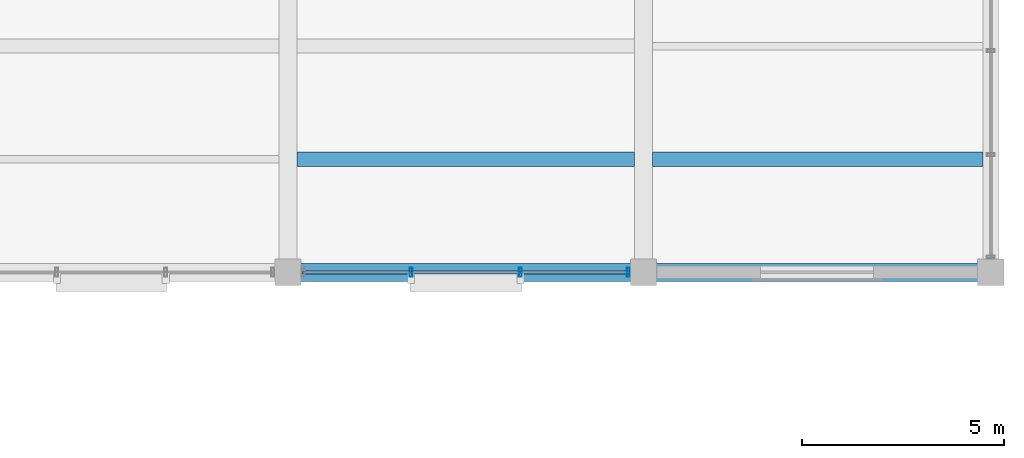
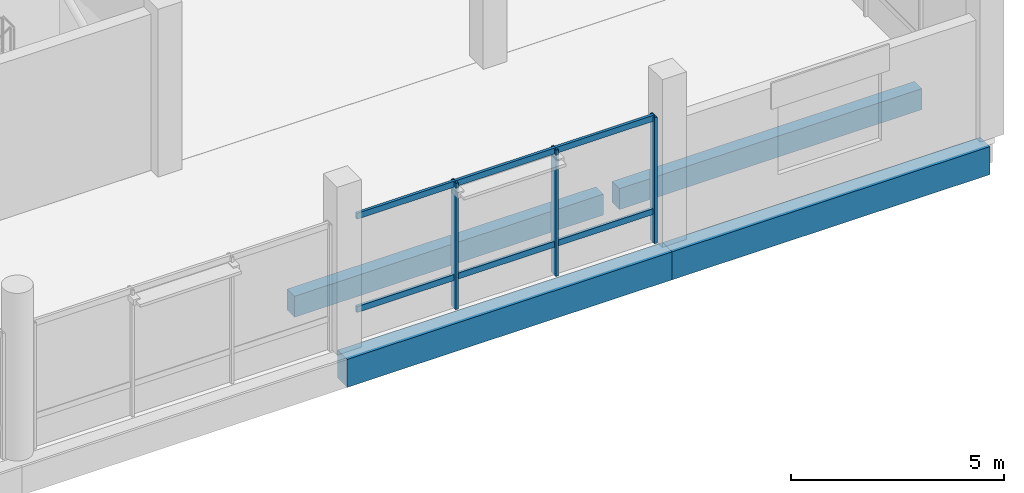
# One storey, part 43 of 71: 9 members, 4 beams, 1 element without a shape of its own.
"""IFC4 building model written with IfcOpenShell, lengths in metres."""

from ifc_helpers import new_model, si_unit, direction, frame, origin, origin_2d, place, context, subcontext, project, spatial, rectangle, hollow_rectangle, extrude, material, layer, layer_set, material_profile, profile_set, type_object, element, aggregate, save


model = new_model("IFC4")

# Units and contexts
model_context = context("Model", 3, precision=1e-05, world=origin(), true_north=direction((0.0, 1.0)))
body_context = subcontext(model_context, "Body", "Model", "MODEL_VIEW")
ifc_project = project(units=[si_unit("LENGTHUNIT", "METRE"), si_unit("AREAUNIT", "SQUARE_METRE"), si_unit("VOLUMEUNIT", "CUBIC_METRE"), si_unit("PLANEANGLEUNIT", "RADIAN"), si_unit("MASSUNIT", "GRAM", prefix="KILO")], contexts=[model_context])

# Site, building, storey
site_placement = place(None, origin())
site = spatial("IfcSite", under=ifc_project, at=site_placement, CompositionType="ELEMENT")
building_placement = place(site_placement, origin())
building = spatial("IfcBuilding", under=site, at=building_placement, Name="Meriwether Solvik Hall", CompositionType="ELEMENT")
storey_placement = place(building_placement, frame((0.0, 0.0, 5.10009765625)))
storey = spatial("IfcBuildingStorey", under=building, at=storey_placement, Name="L01", CompositionType="ELEMENT", Elevation=5.10009765625)

# Beams
ifc_material_1 = material(Name="Concrete C40/50", Category="concrete")
ifc_material_profile_1 = material_profile(ifc_material_1, rectangle(XDim=0.35009765625, YDim=0.60009765625, at=origin_2d()), Name="RCB-350X600")
ifc_profile_set_1 = profile_set([ifc_material_profile_1], Name="Concrete C40/50")
beam_type_1 = type_object("IfcBeamType", Name="BM-RC-350X600", PredefinedType="JOIST", material=ifc_profile_set_1)
beam_1_placement = place(storey_placement, frame((149.6201171875, 52.800048828125, -0.60009765625), z_axis=(1.0, 0.0, 0.0), x_axis=(0.0, 1.0, 0.0)))
element("IfcBeam", 1, at=beam_1_placement, inside=storey, type_object=beam_type_1, Name="Secondary Floor Joist 17/F_J1 (L01)", PredefinedType="JOIST", context=body_context, shape_type="SweptSolid", body=[
    extrude(rectangle(XDim=0.35009765625, YDim=0.60009765625, at=origin_2d()), origin(), (0.0, 0.0, 1.0), 8.35986328125),
])
beam_2_placement = place(storey_placement, frame((158.419921875, 52.800048828125, -0.60009765625), z_axis=(1.0, 0.0, 0.0), x_axis=(0.0, 1.0, 0.0)))
element("IfcBeam", 2, at=beam_2_placement, inside=storey, type_object=beam_type_1, Name="Secondary Floor Joist 18/F_J1 (L01)", PredefinedType="JOIST", context=body_context, shape_type="SweptSolid", body=[
    extrude(rectangle(XDim=0.35009765625, YDim=0.60009765625, at=origin_2d()), origin(), (0.0, 0.0, 1.0), 8.18505859375),
])
ifc_material_2 = material(Name="Concrete C40/50", Category="concrete")
ifc_material_profile_2 = material_profile(ifc_material_2, rectangle(XDim=0.449951171875, YDim=0.800048828125, at=origin_2d()), Name="RCB-450X800")
ifc_profile_set_2 = profile_set([ifc_material_profile_2], Name="Concrete C40/50")
beam_type_2 = type_object("IfcBeamType", Name="BM-RC-450X800", PredefinedType="BEAM", material=ifc_profile_set_2)
beam_3_placement = place(storey_placement, frame((149.39990234375, 50.0, -0.7001953125), z_axis=(1.0, 0.0, 0.0), x_axis=(0.0, 1.0, 0.0)))
element("IfcBeam", 3, at=beam_3_placement, inside=storey, type_object=beam_type_2, Name="Podium Girder F:17-18 (L01)", PredefinedType="BEAM", context=body_context, shape_type="SweptSolid", body=[
    extrude(rectangle(XDim=0.449951171875, YDim=0.800048828125, at=origin_2d()), origin(), (0.0, 0.0, 1.0), 8.800048828125),
])
beam_4_placement = place(storey_placement, frame((158.199951171875, 50.0, -0.7001953125), z_axis=(1.0, 0.0, 0.0), x_axis=(0.0, 1.0, 0.0)))
element("IfcBeam", 4, at=beam_4_placement, inside=storey, type_object=beam_type_2, Name="Podium Girder F:18-19 (L01)", PredefinedType="BEAM", context=body_context, shape_type="SweptSolid", body=[
    extrude(rectangle(XDim=0.449951171875, YDim=0.800048828125, at=origin_2d()), origin(), (0.0, 0.0, 1.0), 8.60009765625),
])

# Curtain wall, members
ifc_material_3 = material(Name="Thermally Broken Anodised Aluminium 6063-T6 and Low-E Glass", Category="aluminium")
ifc_layer = layer(ifc_material_3, 0.179931640625)
ifc_layer_set = layer_set([ifc_layer], Name="Thermally Broken Anodised Aluminium 6063-T6 and Low-E Glass")
curtain_wall_type = type_object("IfcCurtainWallType", Name="CW-SF-POD-B", PredefinedType="USERDEFINED", material=ifc_layer_set)
curtain_wall_placement = place(storey_placement, origin())
curtain_wall = element("IfcCurtainWall", 5, at=curtain_wall_placement, inside=storey, type_object=curtain_wall_type, Name="Curtain Wall wing_XF_17_16 (L01)", ObjectType="STICK STOREFRONT GLAZING", PredefinedType="USERDEFINED")
ifc_material_4 = material(Name="Anodised Aluminium 6063-T6", Category="aluminium")
ifc_material_profile_3 = material_profile(ifc_material_4, hollow_rectangle(XDim=0.074951171875, YDim=0.219970703125, WallThickness=0.005615234375, at=origin_2d()), Name="CWM-75X220")
ifc_profile_set_3 = profile_set([ifc_material_profile_3], Name="Anodised Aluminium 6063-T6")
member_type_1 = type_object("IfcMemberType", Name="CW-MUL-75X220", PredefinedType="MULLION", material=ifc_profile_set_3)
member_1_placement = place(storey_placement, frame((157.824951171875, 50.0, 0.0), z_axis=(0.0, 0.0, 1.0), x_axis=(-1.0, 0.0, 0.0)))
member_1 = element("IfcMember", 6, at=member_1_placement, type_object=member_type_1, Name="Curtain Wall Mullion 1", PredefinedType="MULLION", context=body_context, shape_type="SweptSolid", body=[
    extrude(hollow_rectangle(XDim=0.074951171875, YDim=0.219970703125, WallThickness=0.005615234375, at=origin_2d()), origin(), (0.0, 0.0, 1.0), 3.60986328125),
])
member_2_placement = place(storey_placement, frame((155.154296875, 50.0, 0.0), z_axis=(0.0, 0.0, 1.0), x_axis=(-1.0, 0.0, 0.0)))
member_2 = element("IfcMember", 7, at=member_2_placement, type_object=member_type_1, Name="Curtain Wall Mullion 2", PredefinedType="MULLION", context=body_context, shape_type="SweptSolid", body=[
    extrude(hollow_rectangle(XDim=0.074951171875, YDim=0.219970703125, WallThickness=0.005615234375, at=origin_2d()), origin(), (0.0, 0.0, 1.0), 3.60986328125),
])
member_3_placement = place(storey_placement, frame((152.445556640625, 50.0, 0.0), z_axis=(0.0, 0.0, 1.0), x_axis=(-1.0, 0.0, 0.0)))
member_3 = element("IfcMember", 8, at=member_3_placement, type_object=member_type_1, Name="Curtain Wall Mullion 3", PredefinedType="MULLION", context=body_context, shape_type="SweptSolid", body=[
    extrude(hollow_rectangle(XDim=0.074951171875, YDim=0.219970703125, WallThickness=0.005615234375, at=origin_2d()), origin(), (0.0, 0.0, 1.0), 3.60986328125),
])
ifc_material_5 = material(Name="Anodised Aluminium 6063-T6", Category="aluminium")
ifc_material_profile_4 = material_profile(ifc_material_5, hollow_rectangle(XDim=0.074951171875, YDim=0.169921875, WallThickness=0.005615234375, at=origin_2d()), Name="CWT-75X170")
ifc_profile_set_4 = profile_set([ifc_material_profile_4], Name="Anodised Aluminium 6063-T6")
member_type_2 = type_object("IfcMemberType", Name="CW-TRN-75X170", PredefinedType="USERDEFINED", material=ifc_profile_set_4)
member_4_placement = place(storey_placement, frame((157.824951171875, 50.0, 0.8798828125), z_axis=(-1.0, 0.0, 0.0), x_axis=(0.0, -1.0, 0.0)))
member_4 = element("IfcMember", 9, at=member_4_placement, type_object=member_type_2, Name="Curtain Wall Transom 1-sill", ObjectType="TRANSOM", PredefinedType="USERDEFINED", context=body_context, shape_type="SweptSolid", body=[
    extrude(hollow_rectangle(XDim=0.074951171875, YDim=0.169921875, WallThickness=0.005615234375, at=origin_2d()), origin(), (0.0, 0.0, 1.0), 2.670654296875),
])
member_5_placement = place(storey_placement, frame((157.824951171875, 50.0, 3.5498046875), z_axis=(-1.0, 0.0, 0.0), x_axis=(0.0, -1.0, 0.0)))
member_5 = element("IfcMember", 10, at=member_5_placement, type_object=member_type_2, Name="Curtain Wall Transom 1-head", ObjectType="TRANSOM", PredefinedType="USERDEFINED", context=body_context, shape_type="SweptSolid", body=[
    extrude(hollow_rectangle(XDim=0.074951171875, YDim=0.169921875, WallThickness=0.005615234375, at=origin_2d()), origin(), (0.0, 0.0, 1.0), 2.670654296875),
])
member_6_placement = place(storey_placement, frame((155.154296875, 50.0, 0.8798828125), z_axis=(-1.0, 0.0, 0.0), x_axis=(0.0, -1.0, 0.0)))
member_6 = element("IfcMember", 11, at=member_6_placement, type_object=member_type_2, Name="Curtain Wall Transom 2-sill", ObjectType="TRANSOM", PredefinedType="USERDEFINED", context=body_context, shape_type="SweptSolid", body=[
    extrude(hollow_rectangle(XDim=0.074951171875, YDim=0.169921875, WallThickness=0.005615234375, at=origin_2d()), origin(), (0.0, 0.0, 1.0), 2.708740234375),
])
member_7_placement = place(storey_placement, frame((155.154296875, 50.0, 3.5498046875), z_axis=(-1.0, 0.0, 0.0), x_axis=(0.0, -1.0, 0.0)))
member_7 = element("IfcMember", 12, at=member_7_placement, type_object=member_type_2, Name="Curtain Wall Transom 2-head", ObjectType="TRANSOM", PredefinedType="USERDEFINED", context=body_context, shape_type="SweptSolid", body=[
    extrude(hollow_rectangle(XDim=0.074951171875, YDim=0.169921875, WallThickness=0.005615234375, at=origin_2d()), origin(), (0.0, 0.0, 1.0), 2.708740234375),
])
member_8_placement = place(storey_placement, frame((152.445556640625, 50.0, 0.8798828125), z_axis=(-1.0, 0.0, 0.0), x_axis=(0.0, -1.0, 0.0)))
member_8 = element("IfcMember", 13, at=member_8_placement, type_object=member_type_2, Name="Curtain Wall Transom 3-sill", ObjectType="TRANSOM", PredefinedType="USERDEFINED", context=body_context, shape_type="SweptSolid", body=[
    extrude(hollow_rectangle(XDim=0.074951171875, YDim=0.169921875, WallThickness=0.005615234375, at=origin_2d()), origin(), (0.0, 0.0, 1.0), 2.670654296875),
])
member_9_placement = place(storey_placement, frame((152.445556640625, 50.0, 3.5498046875), z_axis=(-1.0, 0.0, 0.0), x_axis=(0.0, -1.0, 0.0)))
member_9 = element("IfcMember", 14, at=member_9_placement, type_object=member_type_2, Name="Curtain Wall Transom 3-head", ObjectType="TRANSOM", PredefinedType="USERDEFINED", context=body_context, shape_type="SweptSolid", body=[
    extrude(hollow_rectangle(XDim=0.074951171875, YDim=0.169921875, WallThickness=0.005615234375, at=origin_2d()), origin(), (0.0, 0.0, 1.0), 2.670654296875),
])
aggregate(curtain_wall, [member_1, member_2, member_3, member_4, member_5, member_6, member_7, member_8, member_9])

save(model, "model.ifc")
